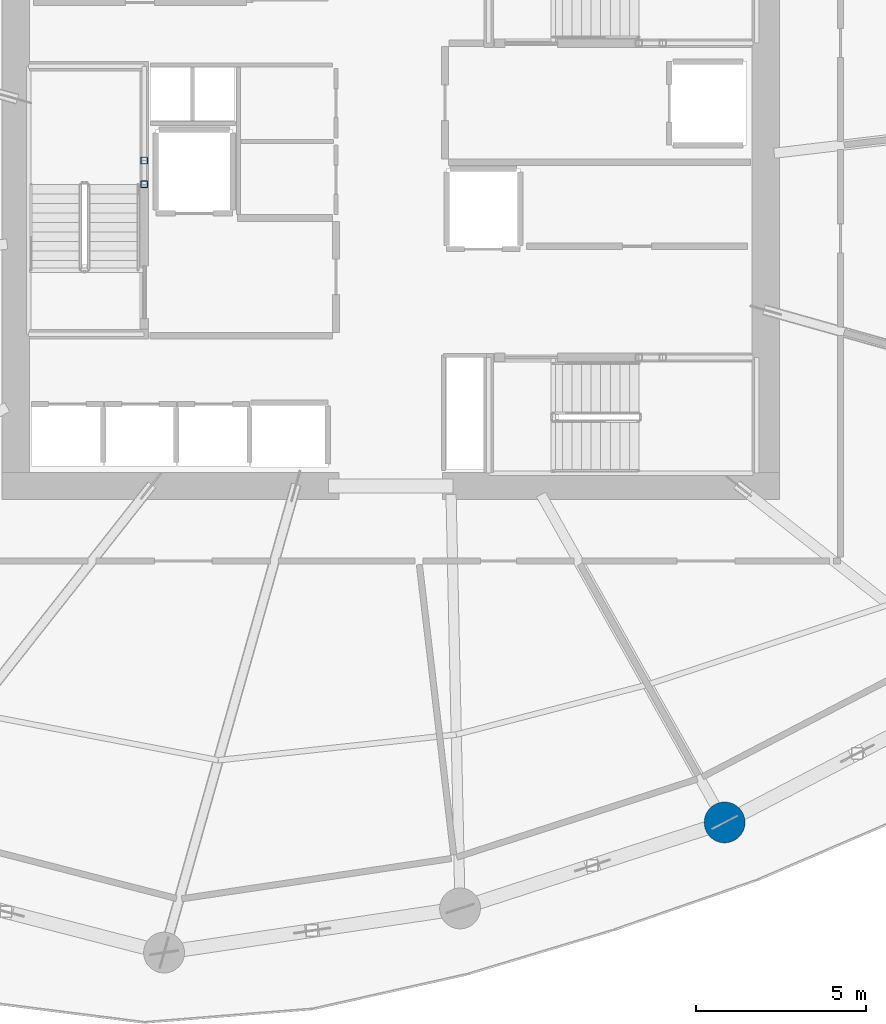
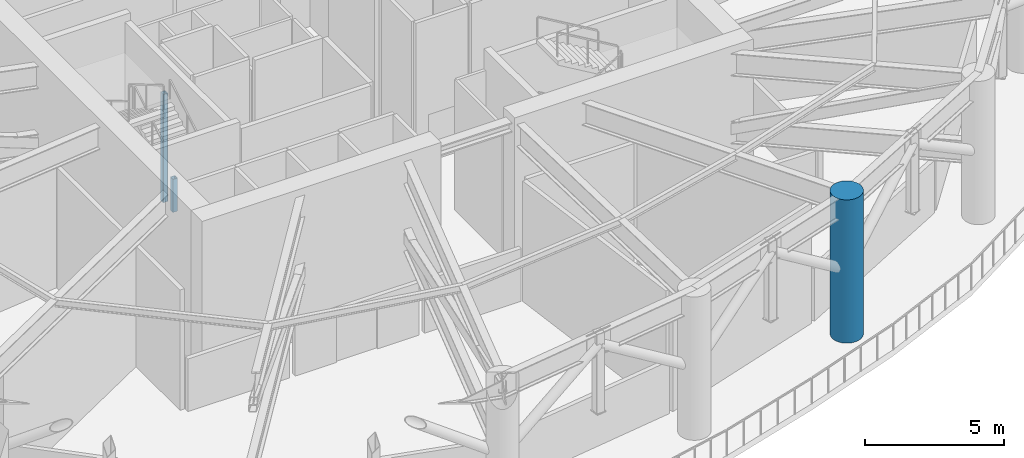
# One storey, part 2 of 19: 3 columns.
"""IFC4 building model written with IfcOpenShell, lengths in metres."""

from ifc_helpers import new_model, si_unit, direction, frame, origin, origin_2d, place, context, subcontext, project, spatial, hollow_rectangle, circle, extrude, material, material_profile, profile_set, type_object, element, save


model = new_model("IFC4")

# Units and contexts
model_context = context("Model", 3, precision=1e-05, world=origin(), true_north=direction((0.0, 1.0)))
body_context = subcontext(model_context, "Body", "Model", "MODEL_VIEW")
ifc_project = project(units=[si_unit("LENGTHUNIT", "METRE"), si_unit("AREAUNIT", "SQUARE_METRE"), si_unit("VOLUMEUNIT", "CUBIC_METRE"), si_unit("PLANEANGLEUNIT", "RADIAN"), si_unit("MASSUNIT", "GRAM", prefix="KILO")], contexts=[model_context])

# Site, building, storey
site_placement = place(None, origin())
site = spatial("IfcSite", under=ifc_project, at=site_placement, CompositionType="ELEMENT")
building_placement = place(site_placement, origin())
building = spatial("IfcBuilding", under=site, at=building_placement, Name="Kazma Halo Residences", CompositionType="ELEMENT")
storey_placement = place(building_placement, frame((0.0, 0.0, 116.39990234375)))
storey = spatial("IfcBuildingStorey", under=building, at=storey_placement, Name="L29", CompositionType="ELEMENT", Elevation=116.39990234375)

# Columns
ifc_material_1 = material(Name="Steel S355", Category="steel")
ifc_material_profile_1 = material_profile(ifc_material_1, hollow_rectangle(XDim=0.199951171875, YDim=0.199951171875, WallThickness=0.010009765625, InnerFilletRadius=0.010009765625, OuterFilletRadius=0.02001953125, at=origin_2d()), Name="SHS200x200x10")
ifc_profile_set_1 = profile_set([ifc_material_profile_1], Name="Steel S355")
column_type_1 = type_object("IfcColumnType", Name="COL-LP-SHS200", PredefinedType="COLUMN", material=ifc_profile_set_1)
column_1_placement = place(storey_placement, frame((41.179931640625, 42.469970703125, 0.0), z_axis=(0.0, 0.0, 1.0), x_axis=(1.0, 0.0, 0.0)))
element("IfcColumn", 1, at=column_1_placement, inside=storey, type_object=column_type_1, Name="L29 ST-01 landing pilaster 1", PredefinedType="COLUMN", context=body_context, shape_type="SweptSolid", body=[
    extrude(hollow_rectangle(XDim=0.199951171875, YDim=0.199951171875, WallThickness=0.010009765625, InnerFilletRadius=0.010009765625, OuterFilletRadius=0.02001953125, at=origin_2d()), origin(), (0.0, 0.0, 1.0), 1.445068359375),
])
column_2_placement = place(storey_placement, frame((41.179931640625, 43.169921875, 0.0), z_axis=(0.0, 0.0, 1.0), x_axis=(1.0, 0.0, 0.0)))
element("IfcColumn", 2, at=column_2_placement, inside=storey, type_object=column_type_1, Name="L29 ST-01 landing pilaster 3", PredefinedType="COLUMN", context=body_context, shape_type="SweptSolid", body=[
    extrude(hollow_rectangle(XDim=0.199951171875, YDim=0.199951171875, WallThickness=0.010009765625, InnerFilletRadius=0.010009765625, OuterFilletRadius=0.02001953125, at=origin_2d()), origin(), (0.0, 0.0, 1.0), 4.7451171875),
])
ifc_material_2 = material(Name="Concrete C80/95", Category="concrete")
ifc_material_profile_2 = material_profile(ifc_material_2, circle(Radius=0.60009765625, at=origin_2d()), Name="CIRC1200")
ifc_profile_set_2 = profile_set([ifc_material_profile_2], Name="Concrete C80/95")
column_type_2 = type_object("IfcColumnType", Name="COL-PERIM-1200", PredefinedType="COLUMN", material=ifc_profile_set_2)
column_3_placement = place(storey_placement, frame((58.242431640625, 23.7109375, 0.0), z_axis=(0.0, 0.0, 1.0), x_axis=(1.0, 0.0, 0.0)))
element("IfcColumn", 3, at=column_3_placement, inside=storey, type_object=column_type_2, Name="L29 perimeter ring column P13", PredefinedType="COLUMN", context=body_context, shape_type="SweptSolid", body=[
    extrude(circle(Radius=0.60009765625, at=origin_2d()), origin(), (0.0, 0.0, 1.0), 6.280029296875),
])

save(model, "model.ifc")
